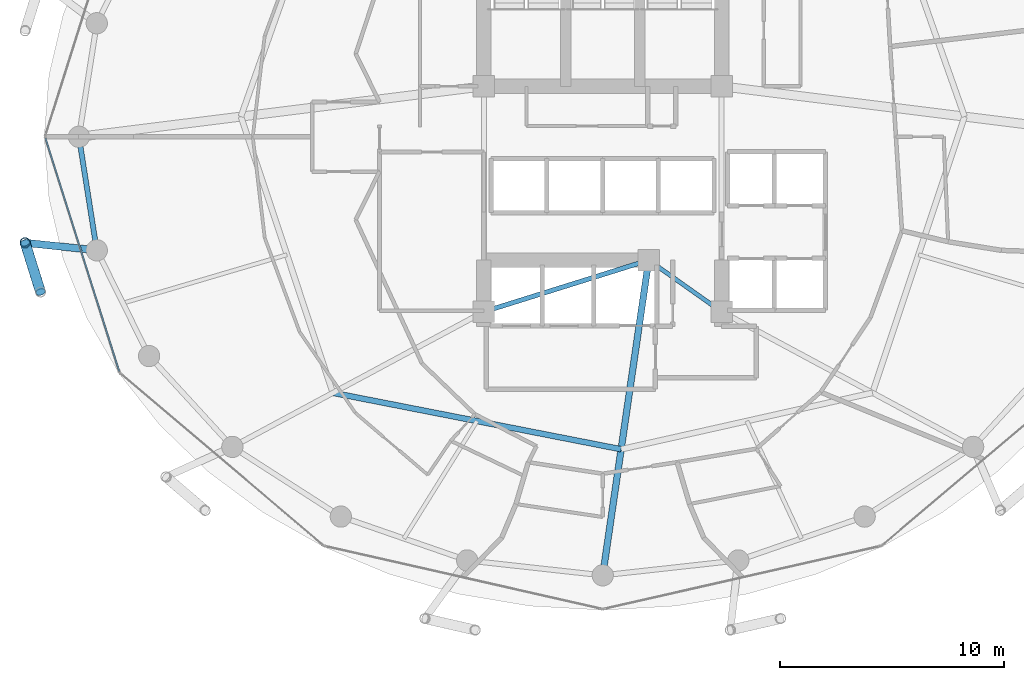
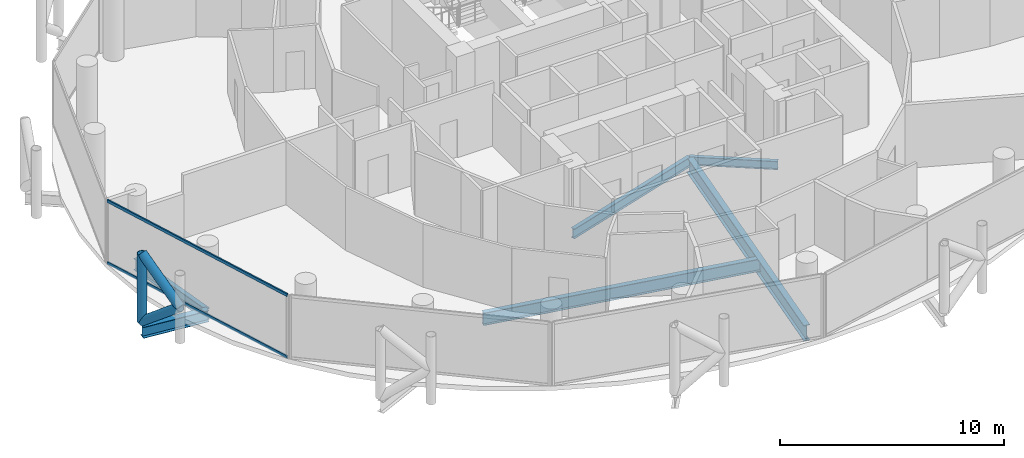
# One storey, part 5 of 26: 6 beams, 5 members, 1 element without a shape of its own.
"""IFC4 building model written with IfcOpenShell, lengths in metres."""

from ifc_helpers import new_model, si_unit, direction, frame, origin, origin_2d, place, context, subcontext, project, spatial, hollow_rectangle, hollow_circle, i_section, extrude, material, layer, layer_set, material_profile, profile_set, type_object, element, aggregate, save


model = new_model("IFC4")

# Units and contexts
model_context = context("Model", 3, precision=1e-05, world=origin(), true_north=direction((0.0, 1.0)))
body_context = subcontext(model_context, "Body", "Model", "MODEL_VIEW")
ifc_project = project(units=[si_unit("LENGTHUNIT", "METRE"), si_unit("AREAUNIT", "SQUARE_METRE"), si_unit("VOLUMEUNIT", "CUBIC_METRE"), si_unit("PLANEANGLEUNIT", "RADIAN"), si_unit("MASSUNIT", "GRAM", prefix="KILO")], contexts=[model_context])

# Site, building, storey
site_placement = place(None, origin())
site = spatial("IfcSite", under=ifc_project, at=site_placement, CompositionType="ELEMENT")
building_placement = place(site_placement, origin())
building = spatial("IfcBuilding", under=site, at=building_placement, Name="Nuhasar Tower", CompositionType="ELEMENT")
storey_placement = place(building_placement, frame((0.0, 0.0, 125.64990234375)))
storey = spatial("IfcBuildingStorey", under=building, at=storey_placement, Name="L29", CompositionType="ELEMENT", Elevation=125.64990234375)

# Beams
ifc_material_1 = material(Name="Steel S355", Category="steel")
ifc_material_profile_1 = material_profile(ifc_material_1, i_section(OverallWidth=0.25390625, OverallDepth=0.68408203125, WebThickness=0.012451171875, FlangeThickness=0.018798828125, at=origin_2d()), Name="W27X94")
ifc_profile_set_1 = profile_set([ifc_material_profile_1], Name="Steel S355")
beam_type_1 = type_object("IfcBeamType", Name="BM-INRING-W27X94", PredefinedType="BEAM", material=ifc_profile_set_1)
beam_1_placement = place(storey_placement, frame((26.972900390625, 15.385986328125, -0.591796875), z_axis=(0.981359637088, -0.192180286956, 0.0), x_axis=(0.192180286956, 0.981359637088, 0.0)))
element("IfcBeam", 1, at=beam_1_placement, inside=storey, type_object=beam_type_1, Name="L29 Inner Header Beam 01", PredefinedType="BEAM", context=body_context, shape_type="SweptSolid", body=[
    extrude(i_section(OverallWidth=0.25390625, OverallDepth=0.68408203125, WebThickness=0.012451171875, FlangeThickness=0.018798828125, at=origin_2d()), origin(), (0.0, 0.0, 1.0), 13.09130859375),
])
ifc_material_profile_2 = material_profile(ifc_material_1, i_section(OverallWidth=0.2919921875, OverallDepth=0.85888671875, WebThickness=0.01708984375, FlangeThickness=0.031005859375, at=origin_2d()), Name="W33X169")
ifc_profile_set_2 = profile_set([ifc_material_profile_2], Name="Steel S355")
beam_type_2 = type_object("IfcBeamType", Name="BM-POD-W33X169", PredefinedType="BEAM", material=ifc_profile_set_2)
beam_2_placement = place(storey_placement, frame((41.050048828125, 21.300048828125, -0.678955078125), z_axis=(-0.144381604017, -0.989522082837, 0.0), x_axis=(0.989522082837, -0.144381604017, 0.0)))
element("IfcBeam", 2, at=beam_2_placement, inside=storey, type_object=beam_type_2, Name="L29 Radial Floor Girder 02", PredefinedType="BEAM", context=body_context, shape_type="SweptSolid", body=[
    extrude(i_section(OverallWidth=0.2919921875, OverallDepth=0.85888671875, WebThickness=0.01708984375, FlangeThickness=0.031005859375, at=origin_2d()), origin(), (0.0, 0.0, 1.0), 14.19873046875),
])
ifc_material_profile_3 = material_profile(ifc_material_1, i_section(OverallWidth=0.18994140625, OverallDepth=0.45703125, WebThickness=0.009033203125, FlangeThickness=0.014404296875, at=origin_2d()), Name="W18X50")
ifc_profile_set_3 = profile_set([ifc_material_profile_3], Name="Steel S355")
beam_type_3 = type_object("IfcBeamType", Name="BM-RAD-W18X50", PredefinedType="BEAM", material=ifc_profile_set_3)
beam_3_placement = place(storey_placement, frame((41.050048828125, 21.300048828125, -0.477783203125), z_axis=(0.816265428953, -0.577677028708, 0.0), x_axis=(0.577677028708, 0.816265428953, 0.0)))
element("IfcBeam", 3, at=beam_3_placement, inside=storey, type_object=beam_type_3, Name="L29 Core Ring Girder 2", PredefinedType="BEAM", context=body_context, shape_type="SweptSolid", body=[
    extrude(i_section(OverallWidth=0.18994140625, OverallDepth=0.45703125, WebThickness=0.009033203125, FlangeThickness=0.014404296875, at=origin_2d()), origin(), (0.0, 0.0, 1.0), 3.9814453125),
])
ifc_material_profile_4 = material_profile(ifc_material_1, i_section(OverallWidth=0.208984375, OverallDepth=0.532958984375, WebThickness=0.01025390625, FlangeThickness=0.015625, at=origin_2d()), Name="W21X62")
ifc_profile_set_4 = profile_set([ifc_material_profile_4], Name="Steel S355")
beam_type_4 = type_object("IfcBeamType", Name="BM-RAD-W21X62", PredefinedType="BEAM", material=ifc_profile_set_4)
beam_4_placement = place(storey_placement, frame((33.699951171875, 19.0, -0.515869140625), z_axis=(0.954363709454, 0.298646798205, 0.0), x_axis=(-0.298646798205, 0.954363709454, 0.0)))
element("IfcBeam", 4, at=beam_4_placement, inside=storey, type_object=beam_type_4, Name="L29 Core Ring Girder 1", PredefinedType="BEAM", context=body_context, shape_type="SweptSolid", body=[
    extrude(i_section(OverallWidth=0.208984375, OverallDepth=0.532958984375, WebThickness=0.01025390625, FlangeThickness=0.015625, at=origin_2d()), origin(), (0.0, 0.0, 1.0), 7.70166015625),
])
ifc_material_profile_5 = material_profile(ifc_material_1, i_section(OverallWidth=0.22998046875, OverallDepth=0.616943359375, WebThickness=0.01318359375, FlangeThickness=0.022216796875, at=origin_2d()), Name="W24X94")
ifc_profile_set_5 = profile_set([ifc_material_profile_5], Name="Steel S355")
beam_type_5 = type_object("IfcBeamType", Name="BM-RING-W24X94", PredefinedType="SPANDREL", material=ifc_profile_set_5)
beam_5_placement = place(storey_placement, frame((15.64990234375, 26.800048828125, -0.557861328125), z_axis=(0.155426543608, -0.987847452566, 0.0), x_axis=(0.987847452566, 0.155426543608, 0.0)))
element("IfcBeam", 5, at=beam_5_placement, inside=storey, type_object=beam_type_5, Name="L29 Perimeter Ring Spandrel 13", PredefinedType="SPANDREL", context=body_context, shape_type="SweptSolid", body=[
    extrude(i_section(OverallWidth=0.22998046875, OverallDepth=0.616943359375, WebThickness=0.01318359375, FlangeThickness=0.022216796875, at=origin_2d()), origin(), (0.0, 0.0, 1.0), 5.122314453125),
])
ifc_material_profile_6 = material_profile(ifc_material_1, i_section(OverallWidth=0.323974609375, OverallDepth=0.611083984375, WebThickness=0.0126953125, FlangeThickness=0.01904296875, at=origin_2d()), Name="W24X104")
ifc_profile_set_6 = profile_set([ifc_material_profile_6], Name="Steel S355")
beam_type_6 = type_object("IfcBeamType", Name="BM-TIE-W24X104", PredefinedType="BEAM", material=ifc_profile_set_6)
beam_6_placement = place(storey_placement, frame((16.446044921875, 21.739990234375, -0.554931640625), z_axis=(-0.994577694483, 0.103996200111, 0.0), x_axis=(-0.103996200111, -0.994577694483, 0.0)))
element("IfcBeam", 6, at=beam_6_placement, inside=storey, type_object=beam_type_6, Name="L29 Exoskeleton Node Tie Beam 07", PredefinedType="BEAM", context=body_context, shape_type="SweptSolid", body=[
    extrude(i_section(OverallWidth=0.323974609375, OverallDepth=0.611083984375, WebThickness=0.0126953125, FlangeThickness=0.01904296875, at=origin_2d()), origin(), (0.0, 0.0, 1.0), 3.21142578125),
])

# Curtain wall, members
ifc_material_2 = material(Name="Aluminium 6063-T6", Category="aluminium")
ifc_layer = layer(ifc_material_2, 0.199951171875)
ifc_layer_set = layer_set([ifc_layer], Name="Aluminium 6063-T6")
curtain_wall_type = type_object("IfcCurtainWallType", Name="CW-Z2-HTL", PredefinedType="NOTDEFINED", material=ifc_layer_set)
curtain_wall_placement = place(storey_placement, origin())
curtain_wall = element("IfcCurtainWall", 7, at=curtain_wall_placement, inside=storey, type_object=curtain_wall_type, Name="L29 Unitised Curtain Wall 07", PredefinedType="NOTDEFINED")
ifc_material_profile_7 = material_profile(ifc_material_2, hollow_rectangle(XDim=0.070068359375, YDim=0.159912109375, WallThickness=0.00439453125, at=origin_2d()), Name="CWT-3")
ifc_profile_set_7 = profile_set([ifc_material_profile_7], Name="Aluminium 6063-T6")
member_type_1 = type_object("IfcMemberType", Name="CW-TRN-S3", PredefinedType="USERDEFINED", material=ifc_profile_set_7)
member_1_placement = place(storey_placement, frame((14.1611328125, 26.733154296875, 0.03515625), z_axis=(0.301608163352, -0.953431967053, 0.0), x_axis=(0.953431967053, 0.301608163352, 0.0)))
member_1 = element("IfcMember", 8, at=member_1_placement, type_object=member_type_1, Name="CW-Z2 transom 1.1", ObjectType="TRANSOM", PredefinedType="USERDEFINED", context=body_context, shape_type="SweptSolid", body=[
    extrude(hollow_rectangle(XDim=0.070068359375, YDim=0.159912109375, WallThickness=0.00439453125, at=origin_2d()), origin(), (0.0, 0.0, 1.0), 10.904296875),
])
member_2_placement = place(storey_placement, frame((14.1611328125, 26.733154296875, 3.4150390625), z_axis=(0.301608163352, -0.953431967053, 0.0), x_axis=(0.953431967053, 0.301608163352, 0.0)))
member_2 = element("IfcMember", 9, at=member_2_placement, type_object=member_type_1, Name="CW-Z2 transom 1.2", ObjectType="TRANSOM", PredefinedType="USERDEFINED", context=body_context, shape_type="SweptSolid", body=[
    extrude(hollow_rectangle(XDim=0.070068359375, YDim=0.159912109375, WallThickness=0.00439453125, at=origin_2d()), origin(), (0.0, 0.0, 1.0), 10.904296875),
])
aggregate(curtain_wall, [member_1, member_2])

# Members
ifc_material_3 = material(Name="Steel S460", Category="steel")
ifc_material_profile_8 = material_profile(ifc_material_3, hollow_circle(Radius=0.228515625, WallThickness=0.022216796875, at=origin_2d()), Name="HSS457X22.2")
ifc_profile_set_8 = profile_set([ifc_material_profile_8], Name="Steel S460")
member_type_2 = type_object("IfcMemberType", Name="EXO-BRONZE-457", PredefinedType="BRACE", material=ifc_profile_set_8)
member_3_placement = place(storey_placement, frame((13.251953125, 22.073974609375, 0.0), z_axis=(0.0, 0.0, 1.0), x_axis=(1.0, 0.0, 0.0)))
element("IfcMember", 10, at=member_3_placement, inside=storey, type_object=member_type_2, Name="L29 Exoskeleton Chord Column EC-07A", PredefinedType="BRACE", context=body_context, shape_type="SweptSolid", body=[
    extrude(hollow_circle(Radius=0.228515625, WallThickness=0.022216796875, at=origin_2d()), origin(), (0.0, 0.0, 1.0), 3.7001953125),
])
for number, where, z_axis, x_axis, name in (
    (11, (13.251953125, 22.073974609375, 0.0), (0.233055548538, -0.743577869731, 0.626719285599), (0.954228474306, 0.29907861646, 0.0), "L29 Bronze Diagrid Brace W1-07"),
    (12, (13.93994140625, 19.87890625, 1.85009765625), (-0.233055548538, 0.743577869731, 0.626719285599), (-0.954228474306, -0.29907861646, 0.0), "L29 Bronze Diagrid Brace W2-07"),
):
    element("IfcMember", number, at=place(storey_placement, frame(where, z_axis=z_axis, x_axis=x_axis)), inside=storey, type_object=member_type_2, Name=name, PredefinedType="BRACE", context=body_context, shape_type="SweptSolid", body=[
        extrude(hollow_circle(Radius=0.228515625, WallThickness=0.022216796875, at=origin_2d()), origin(), (0.0, 0.0, 1.0), 2.9521484375),
    ])

save(model, "model.ifc")
